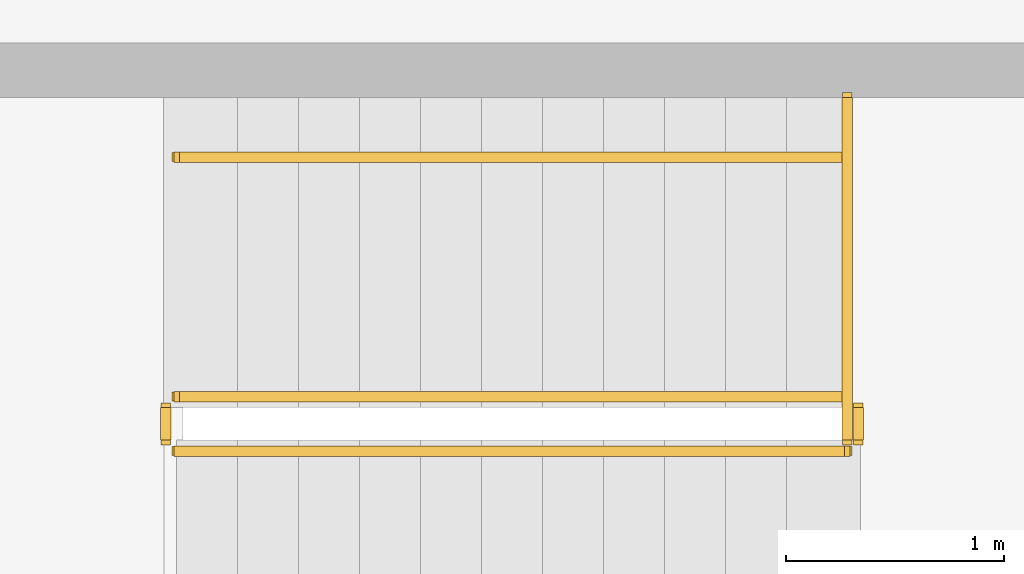
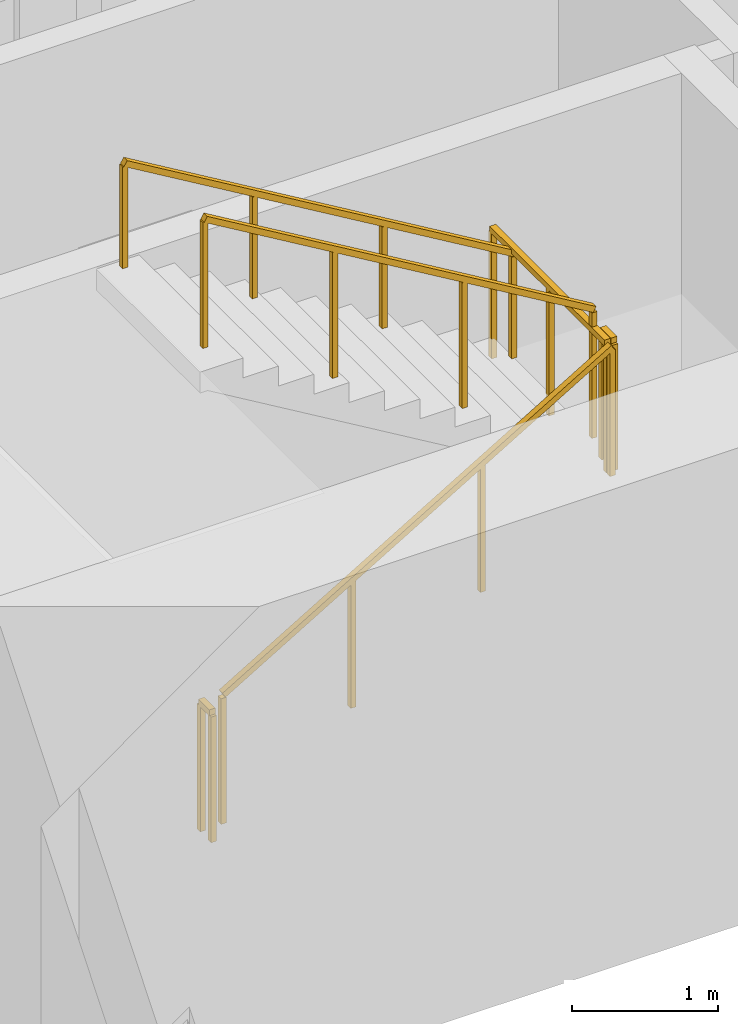
# One storey, part 14 of 17: 6 railings.
"""IFC4 building model written with IfcOpenShell, lengths in metres."""

from ifc_helpers import new_model, si_unit, direction, frame, origin, origin_2d, place, context, subcontext, project, spatial, rectangle, extrude, material, type_object, element, save


model = new_model("IFC4")

# Units and contexts
model_context = context("Model", 3, precision=1e-05, world=origin(), true_north=direction((0.0, 1.0)))
body_context = subcontext(model_context, "Body", "Model", "MODEL_VIEW")
ifc_project = project(units=[si_unit("LENGTHUNIT", "METRE"), si_unit("AREAUNIT", "SQUARE_METRE"), si_unit("VOLUMEUNIT", "CUBIC_METRE"), si_unit("PLANEANGLEUNIT", "RADIAN"), si_unit("MASSUNIT", "GRAM", prefix="KILO")], contexts=[model_context])

# Site, building, storey
site_placement = place(None, origin())
site = spatial("IfcSite", under=ifc_project, at=site_placement, CompositionType="ELEMENT")
building_placement = place(site_placement, origin())
building = spatial("IfcBuilding", under=site, at=building_placement, Name="Sennacour Bend Tower", CompositionType="ELEMENT")
storey_placement = place(building_placement, frame((0.0, 0.0, 195.0)))
storey = spatial("IfcBuildingStorey", under=building, at=storey_placement, Name="L44", CompositionType="ELEMENT", Elevation=195.0)

# Railings
ifc_material = material(Name="Stainless steel", Category="steel")
railing_type_1 = type_object("IfcRailingType", Name="RL-GUARD-1100", PredefinedType="GUARDRAIL", material=ifc_material)
railing_1_placement = place(storey_placement, frame((56.699951171875, 2.449951171875, 0.166748046875)))
element("IfcRailing", 1, at=railing_1_placement, inside=storey, type_object=railing_type_1, Name="L44 SA1 stair guard 1", PredefinedType="GUARDRAIL", context=body_context, shape_type="SweptSolid", body=[
    extrude(rectangle(XDim=0.048095703125, YDim=0.048095703125, at=origin_2d()), frame((0.0, 0.0, 1.076171875), z_axis=(0.859308565015, 0.0, 0.511457515432), x_axis=(0.0, 1.0, 0.0)), (0.0, 0.0, 1.0), 3.58447265625),
    extrude(rectangle(XDim=0.0419921875, YDim=0.0419921875, at=origin_2d()), origin(), (0.0, 0.0, 1.0), 1.052001953125),
    extrude(rectangle(XDim=0.0419921875, YDim=0.0419921875, at=origin_2d()), frame((1.026611328125, 0.0, 0.611083984375)), (0.0, 0.0, 1.0), 1.052001953125),
    extrude(rectangle(XDim=0.0419921875, YDim=0.0419921875, at=origin_2d()), frame((2.053466796875, 0.0, 1.22216796875)), (0.0, 0.0, 1.0), 1.052001953125),
    extrude(rectangle(XDim=0.0419921875, YDim=0.0419921875, at=origin_2d()), frame((3.080078125, 0.0, 1.833251953125)), (0.0, 0.0, 1.0), 1.052001953125),
])
railing_2_placement = place(storey_placement, frame((59.830078125, 2.5, 2.0)))
element("IfcRailing", 2, at=railing_2_placement, inside=storey, type_object=railing_type_1, Name="L44 SA1 stair guard 2", PredefinedType="GUARDRAIL", context=body_context, shape_type="SweptSolid", body=[
    extrude(rectangle(XDim=0.048095703125, YDim=0.048095703125, at=origin_2d()), frame((0.0, 0.0, 1.076171875), z_axis=(0.0, 1.0, 0.0), x_axis=(-1.0, 0.0, 0.0)), (0.0, 0.0, 1.0), 0.14990234375),
    extrude(rectangle(XDim=0.0419921875, YDim=0.0419921875, at=origin_2d()), origin(), (0.0, 0.0, 1.0), 1.052001953125),
    extrude(rectangle(XDim=0.0419921875, YDim=0.0419921875, at=origin_2d()), frame((0.0, 0.14990234375, 0.0)), (0.0, 0.0, 1.0), 1.052001953125),
])
railing_3_placement = place(storey_placement, frame((59.780029296875, 2.699951171875, 2.166748046875)))
element("IfcRailing", 3, at=railing_3_placement, inside=storey, type_object=railing_type_1, Name="L44 SA1 stair guard 4", PredefinedType="GUARDRAIL", context=body_context, shape_type="SweptSolid", body=[
    extrude(rectangle(XDim=0.048095703125, YDim=0.048095703125, at=origin_2d()), frame((0.0, 0.0, 1.076171875), z_axis=(-0.859308565015, 0.0, 0.511457515432), x_axis=(0.0, -1.0, 0.0)), (0.0, 0.0, 1.0), 3.58447265625),
    extrude(rectangle(XDim=0.0419921875, YDim=0.0419921875, at=origin_2d()), origin(), (0.0, 0.0, 1.0), 1.052001953125),
    extrude(rectangle(XDim=0.0419921875, YDim=0.0419921875, at=origin_2d()), frame((-1.026611328125, 0.0, 0.611083984375)), (0.0, 0.0, 1.0), 1.052001953125),
    extrude(rectangle(XDim=0.0419921875, YDim=0.0419921875, at=origin_2d()), frame((-2.053466796875, 0.0, 1.22216796875)), (0.0, 0.0, 1.0), 1.052001953125),
    extrude(rectangle(XDim=0.0419921875, YDim=0.0419921875, at=origin_2d()), frame((-3.080078125, 0.0, 1.833251953125)), (0.0, 0.0, 1.0), 1.052001953125),
])
railing_4_placement = place(storey_placement, frame((56.64990234375, 2.5, 0.0)))
element("IfcRailing", 4, at=railing_4_placement, inside=storey, type_object=railing_type_1, Name="L44 SA1 stair guard 5", PredefinedType="GUARDRAIL", context=body_context, shape_type="SweptSolid", body=[
    extrude(rectangle(XDim=0.048095703125, YDim=0.048095703125, at=origin_2d()), frame((0.0, 0.0, 1.076171875), z_axis=(0.0, 1.0, 0.0), x_axis=(-1.0, 0.0, 0.0)), (0.0, 0.0, 1.0), 0.14990234375),
    extrude(rectangle(XDim=0.0419921875, YDim=0.0419921875, at=origin_2d()), origin(), (0.0, 0.0, 1.0), 1.052001953125),
    extrude(rectangle(XDim=0.0419921875, YDim=0.0419921875, at=origin_2d()), frame((0.0, 0.14990234375, 0.0)), (0.0, 0.0, 1.0), 1.052001953125),
])
railing_5_placement = place(storey_placement, frame((59.780029296875, 2.5, 2.0)))
element("IfcRailing", 5, at=railing_5_placement, inside=storey, type_object=railing_type_1, Name="L44 SA1 landing edge guard 66", PredefinedType="GUARDRAIL", context=body_context, shape_type="SweptSolid", body=[
    extrude(rectangle(XDim=0.048095703125, YDim=0.048095703125, at=origin_2d()), frame((0.0, 0.0, 1.076171875), z_axis=(0.0, 1.0, 0.0), x_axis=(-1.0, 0.0, 0.0)), (0.0, 0.0, 1.0), 1.574951171875),
    extrude(rectangle(XDim=0.0419921875, YDim=0.0419921875, at=origin_2d()), origin(), (0.0, 0.0, 1.0), 1.052001953125),
    extrude(rectangle(XDim=0.0419921875, YDim=0.0419921875, at=origin_2d()), frame((0.0, 0.78759765625, 0.0)), (0.0, 0.0, 1.0), 1.052001953125),
    extrude(rectangle(XDim=0.0419921875, YDim=0.0419921875, at=origin_2d()), frame((0.0, 1.574951171875, 0.0)), (0.0, 0.0, 1.0), 1.052001953125),
])
railing_type_2 = type_object("IfcRailingType", Name="RL-HANDRAIL-900", PredefinedType="HANDRAIL", material=ifc_material)
railing_6_placement = place(storey_placement, frame((59.780029296875, 3.800048828125, 2.166748046875)))
element("IfcRailing", 6, at=railing_6_placement, inside=storey, type_object=railing_type_2, Name="L44 SA1 stair handrail 2", PredefinedType="HANDRAIL", context=body_context, shape_type="SweptSolid", body=[
    extrude(rectangle(XDim=0.048095703125, YDim=0.048095703125, at=origin_2d()), frame((0.0, 0.0, 0.8759765625), z_axis=(-0.859308565015, 0.0, 0.511457515432), x_axis=(0.0, -1.0, 0.0)), (0.0, 0.0, 1.0), 3.58447265625),
    extrude(rectangle(XDim=0.0419921875, YDim=0.0419921875, at=origin_2d()), origin(), (0.0, 0.0, 1.0), 0.851806640625),
    extrude(rectangle(XDim=0.0419921875, YDim=0.0419921875, at=origin_2d()), frame((-1.026611328125, 0.0, 0.611083984375)), (0.0, 0.0, 1.0), 0.851806640625),
    extrude(rectangle(XDim=0.0419921875, YDim=0.0419921875, at=origin_2d()), frame((-2.053466796875, 0.0, 1.22216796875)), (0.0, 0.0, 1.0), 0.851806640625),
    extrude(rectangle(XDim=0.0419921875, YDim=0.0419921875, at=origin_2d()), frame((-3.080078125, 0.0, 1.833251953125)), (0.0, 0.0, 1.0), 0.851806640625),
])

save(model, "model.ifc")
